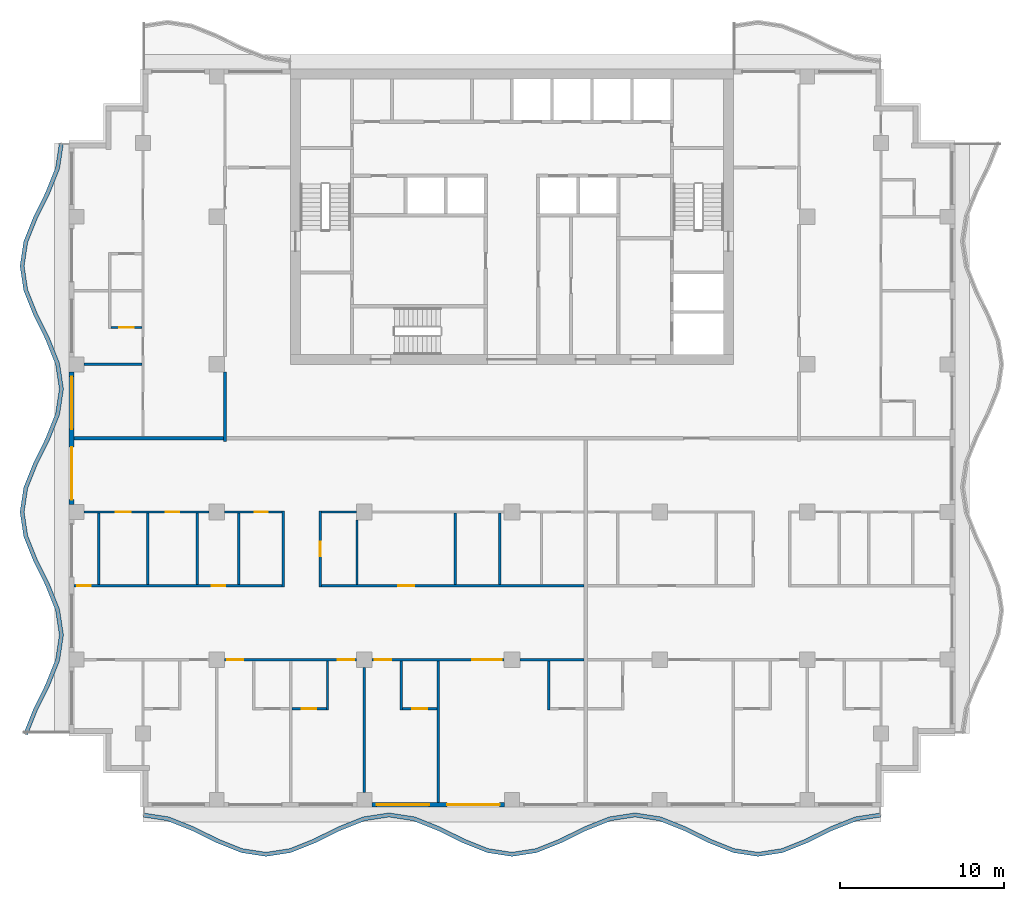
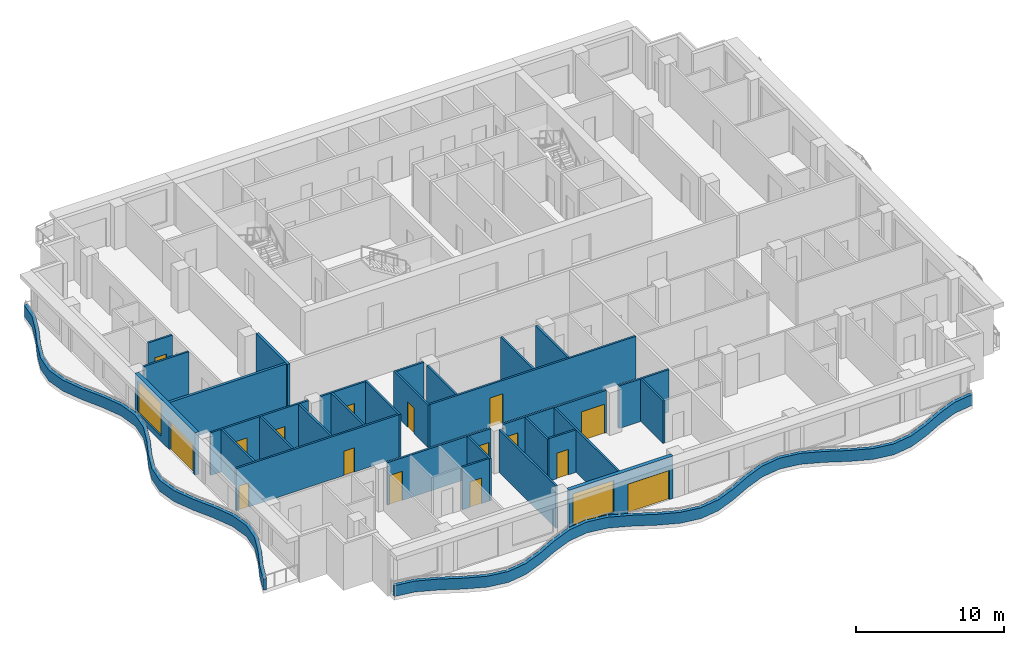
# One storey, part 2 of 12: 32 walls, 16 doors, 2 windows, 18 openings.
"""IFC4 building model written with IfcOpenShell, lengths in metres."""

from ifc_helpers import new_model, si_unit, direction, frame, frame_2d, origin, place, context, subcontext, project, spatial, polyline, rectangle, outline, extrude, material, layer, layer_set, type_object, element, fill, save


model = new_model("IFC4")

# Units and contexts
model_context = context("Model", 3, precision=1e-05, world=origin(), true_north=direction((0.0, 1.0)))
body_context = subcontext(model_context, "Body", "Model", "MODEL_VIEW")
ifc_project = project(units=[si_unit("LENGTHUNIT", "METRE"), si_unit("AREAUNIT", "SQUARE_METRE"), si_unit("VOLUMEUNIT", "CUBIC_METRE"), si_unit("PLANEANGLEUNIT", "RADIAN"), si_unit("MASSUNIT", "GRAM", prefix="KILO")], contexts=[model_context])

# Site, building, storey
site_placement = place(None, origin())
site = spatial("IfcSite", under=ifc_project, at=site_placement, CompositionType="ELEMENT")
building_placement = place(site_placement, origin())
building = spatial("IfcBuilding", under=site, at=building_placement, Name="Orbiselva Terraces", CompositionType="ELEMENT")
storey_placement = place(building_placement, frame((0.0, 0.0, 265.4)))
storey = spatial("IfcBuildingStorey", under=building, at=storey_placement, Name="L67", CompositionType="ELEMENT", Elevation=265.4)

# Walls
ifc_material_1 = material(Name="Concrete C40/50", Category="concrete")
ifc_layer_1 = layer(ifc_material_1, 0.25)
ifc_layer_set_1 = layer_set([ifc_layer_1], Name="Concrete C40/50")
wall_type_1 = type_object("IfcWallType", Name="ENV-PLANTER-250x900", PredefinedType="USERDEFINED", material=ifc_layer_set_1)
wall_1_placement = place(storey_placement, origin())
element("IfcWall", 1, at=wall_1_placement, inside=storey, type_object=wall_type_1, Name="Balcony planter L67 S", ObjectType="PLANTER", PredefinedType="USERDEFINED", context=body_context, shape_type="SweptSolid", body=[
    extrude(outline(polyline([(-22.5, -23.1), (-21.0, -23.32918), (-19.5, -23.92918), (-18.0, -24.67082), (-16.5, -25.27082), (-15.0, -25.5), (-13.5, -25.27082), (-12.0, -24.67082), (-10.5, -23.92918), (-9.0, -23.32918), (-7.5, -23.1), (-6.0, -23.32918), (-4.5, -23.92918), (-3.0, -24.67082), (-1.5, -25.27082), (0.0, -25.5), (1.5, -25.27082), (3.0, -24.67082), (4.5, -23.92918), (6.0, -23.32918), (7.5, -23.1), (9.0, -23.32918), (10.5, -23.92918), (12.0, -24.67082), (13.5, -25.27082), (15.0, -25.5), (16.5, -25.27082), (18.0, -24.67082), (19.5, -23.92918), (21.0, -23.32918), (22.5, -23.1), (22.462242, -22.852868), (20.933834, -23.086388), (19.398017, -23.700715), (17.898017, -24.442355), (16.433834, -25.028028), (15.0, -25.247099), (13.566166, -25.028028), (12.101983, -24.442355), (10.601983, -23.700715), (9.066166, -23.086388), (7.5, -22.847099), (5.933834, -23.086388), (4.398017, -23.700715), (2.898017, -24.442355), (1.433834, -25.028028), (0.0, -25.247099), (-1.433834, -25.028028), (-2.898017, -24.442355), (-4.398017, -23.700715), (-5.933834, -23.086388), (-7.5, -22.847099), (-9.066166, -23.086388), (-10.601983, -23.700715), (-12.101983, -24.442355), (-13.566166, -25.028028), (-15.0, -25.247099), (-16.433834, -25.028028), (-17.898017, -24.442355), (-19.398017, -23.700715), (-20.933834, -23.086388), (-22.462242, -22.852868), (-22.5, -23.1)])), origin(), (0.0, 0.0, 1.0), 0.9),
])
wall_2_placement = place(storey_placement, origin())
element("IfcWall", 2, at=wall_2_placement, inside=storey, type_object=wall_type_1, Name="Balcony planter L67 W", ObjectType="PLANTER", PredefinedType="USERDEFINED", context=body_context, shape_type="SweptSolid", body=[
    extrude(outline(polyline([(-27.6, 18.0), (-27.82918, 16.5), (-28.42918, 15.0), (-29.17082, 13.5), (-29.77082, 12.0), (-30.0, 10.5), (-29.77082, 9.0), (-29.17082, 7.5), (-28.42918, 6.0), (-27.82918, 4.5), (-27.6, 3.0), (-27.82918, 1.5), (-28.42918, 0.0), (-29.17082, -1.5), (-29.77082, -3.0), (-30.0, -4.5), (-29.77082, -6.0), (-29.17082, -7.5), (-28.42918, -9.0), (-27.82918, -10.5), (-27.6, -12.0), (-27.82918, -13.5), (-28.42918, -15.0), (-29.17082, -16.5), (-29.77082, -18.0), (-29.538701, -18.092848), (-28.942355, -16.601983), (-28.200715, -15.101983), (-27.586388, -13.566166), (-27.347099, -12.0), (-27.586388, -10.433834), (-28.200715, -8.898017), (-28.942355, -7.398017), (-29.528028, -5.933834), (-29.747099, -4.5), (-29.528028, -3.066166), (-28.942355, -1.601983), (-28.200715, -0.101983), (-27.586388, 1.433834), (-27.347099, 3.0), (-27.586388, 4.566166), (-28.200715, 6.101983), (-28.942355, 7.601983), (-29.528028, 9.066166), (-29.747099, 10.5), (-29.528028, 11.933834), (-28.942355, 13.398017), (-28.200715, 14.898017), (-27.586388, 16.433834), (-27.352868, 17.962242), (-27.6, 18.0)])), origin(), (0.0, 0.0, 1.0), 0.9),
])

# Wall, openings, door, window
ifc_material_2 = material(Name="Terracotta cladding on masonry backing", Category="masonry")
ifc_layer_2 = layer(ifc_material_2, 0.3)
ifc_layer_set_2 = layer_set([ifc_layer_2], Name="Terracotta cladding on masonry backing")
wall_type_2 = type_object("IfcWallType", Name="ENV-WALL-TERRACOTTA-300", PredefinedType="SOLIDWALL", material=ifc_layer_set_2)
wall_3_placement = place(storey_placement, frame((-0.45, -22.35, 0.0), z_axis=(0.0, 0.0, 1.0), x_axis=(-1.0, 0.0, 0.0)))
wall_3 = element("IfcWall", 3, at=wall_3_placement, inside=storey, type_object=wall_type_2, Name="Facade wall L67 S", PredefinedType="SOLIDWALL", context=body_context, shape_type="SweptSolid", body=[
    extrude(rectangle(XDim=8.1, YDim=0.3, at=frame_2d((4.05, 0.0))), origin(), (0.0, 0.0, 1.0), 3.5),
])
opening_1_placement = place(wall_3_placement, frame((4.6, 0.0, 0.45)))
opening_1 = element("IfcOpeningElement", 4, at=opening_1_placement, cuts=wall_3, Name="Opening WN17", PredefinedType="OPENING", context=body_context, shape_type="SweptSolid", body=[
    extrude(rectangle(XDim=3.2, YDim=2.65, at=frame_2d((1.6, 1.325))), frame((0.0, 0.16, 0.0), z_axis=(0.0, -1.0, 0.0), x_axis=(1.0, 0.0, 0.0)), (0.0, 0.0, 1.0), 0.32),
])
opening_2_placement = place(wall_3_placement, frame((0.3, 0.0, 0.0)))
opening_2 = element("IfcOpeningElement", 5, at=opening_2_placement, cuts=wall_3, Name="Opening Z5-C-E13", PredefinedType="OPENING", context=body_context, shape_type="SweptSolid", body=[
    extrude(rectangle(XDim=3.2, YDim=2.4, at=frame_2d((1.6, 1.2))), frame((0.0, 0.16, 0.0), z_axis=(0.0, -1.0, 0.0), x_axis=(1.0, 0.0, 0.0)), (0.0, 0.0, 1.0), 0.32),
])
ifc_material_3 = material(Name="Clear low-e glazing in aluminium frame", Category="aluminium")
door_type_1 = type_object("IfcDoorType", Name="BALCONY DOOR 3200 X 2400", OperationType="DOUBLE_DOOR_SLIDING", PredefinedType="DOOR", material=ifc_material_3)
door_1_placement = place(opening_2_placement, origin())
door_1 = element("IfcDoor", 6, at=door_1_placement, inside=storey, type_object=door_type_1, Name="Z5-C-E13", OperationType="SINGLE_SWING_LEFT", OverallHeight=2.4, OverallWidth=3.2, PredefinedType="DOOR", context=body_context, shape_type="SweptSolid", body=[
    extrude(rectangle(XDim=3.2, YDim=2.4, at=frame_2d((1.6, 1.2))), frame((0.0, 0.025, 0.0), z_axis=(0.0, -1.0, 0.0), x_axis=(1.0, 0.0, 0.0)), (0.0, 0.0, 1.0), 0.05),
])
fill(opening_2, door_1)
window_type = type_object("IfcWindowType", Name="WINDOW 3200 X 2650 S450", PartitioningType="TRIPLE_PANEL_VERTICAL", PredefinedType="WINDOW", material=ifc_material_3)
window_1_placement = place(opening_1_placement, origin())
window_1 = element("IfcWindow", 7, at=window_1_placement, inside=storey, type_object=window_type, Name="Window L67 S", OverallHeight=2.65, OverallWidth=3.2, PartitioningType="SINGLE_PANEL", PredefinedType="WINDOW", context=body_context, shape_type="SweptSolid", body=[
    extrude(rectangle(XDim=3.2, YDim=2.65, at=frame_2d((1.6, 1.325))), frame((0.0, 0.03, 0.0), z_axis=(0.0, -1.0, 0.0), x_axis=(1.0, 0.0, 0.0)), (0.0, 0.0, 1.0), 0.06),
])
fill(opening_1, window_1)

wall_4_placement = place(storey_placement, frame((-26.85, -4.05, 0.0), z_axis=(0.0, 0.0, 1.0), x_axis=(0.0, 1.0, 0.0)))
wall_4 = element("IfcWall", 8, at=wall_4_placement, inside=storey, type_object=wall_type_2, Name="Facade wall L67 W", PredefinedType="SOLIDWALL", context=body_context, shape_type="SweptSolid", body=[
    extrude(rectangle(XDim=8.1, YDim=0.3, at=frame_2d((4.05, 0.0))), origin(), (0.0, 0.0, 1.0), 3.5),
])
opening_3_placement = place(wall_4_placement, frame((4.6, 0.0, 0.45)))
opening_3 = element("IfcOpeningElement", 9, at=opening_3_placement, cuts=wall_4, Name="Opening WN17", PredefinedType="OPENING", context=body_context, shape_type="SweptSolid", body=[
    extrude(rectangle(XDim=3.2, YDim=2.65, at=frame_2d((1.6, 1.325))), frame((0.0, 0.16, 0.0), z_axis=(0.0, -1.0, 0.0), x_axis=(1.0, 0.0, 0.0)), (0.0, 0.0, 1.0), 0.32),
])
opening_4_placement = place(wall_4_placement, frame((0.3, 0.0, 0.0)))
opening_4 = element("IfcOpeningElement", 10, at=opening_4_placement, cuts=wall_4, Name="Opening Z5-C-E15", PredefinedType="OPENING", context=body_context, shape_type="SweptSolid", body=[
    extrude(rectangle(XDim=3.2, YDim=2.4, at=frame_2d((1.6, 1.2))), frame((0.0, 0.16, 0.0), z_axis=(0.0, -1.0, 0.0), x_axis=(1.0, 0.0, 0.0)), (0.0, 0.0, 1.0), 0.32),
])
door_2_placement = place(opening_4_placement, origin())
door_2 = element("IfcDoor", 11, at=door_2_placement, inside=storey, type_object=door_type_1, Name="Z5-C-E15", OperationType="SINGLE_SWING_LEFT", OverallHeight=2.4, OverallWidth=3.2, PredefinedType="DOOR", context=body_context, shape_type="SweptSolid", body=[
    extrude(rectangle(XDim=3.2, YDim=2.4, at=frame_2d((1.6, 1.2))), frame((0.0, 0.025, 0.0), z_axis=(0.0, -1.0, 0.0), x_axis=(1.0, 0.0, 0.0)), (0.0, 0.0, 1.0), 0.05),
])
fill(opening_4, door_2)
window_2_placement = place(opening_3_placement, origin())
window_2 = element("IfcWindow", 12, at=window_2_placement, inside=storey, type_object=window_type, Name="Window L67 W", OverallHeight=2.65, OverallWidth=3.2, PartitioningType="SINGLE_PANEL", PredefinedType="WINDOW", context=body_context, shape_type="SweptSolid", body=[
    extrude(rectangle(XDim=3.2, YDim=2.65, at=frame_2d((1.6, 1.325))), frame((0.0, 0.03, 0.0), z_axis=(0.0, -1.0, 0.0), x_axis=(1.0, 0.0, 0.0)), (0.0, 0.0, 1.0), 0.06),
])
fill(opening_3, window_2)

# Wall
ifc_material_4 = material(Name="Plasterboard on steel stud partition", Category="steel")
ifc_layer_3 = layer(ifc_material_4, 0.2)
ifc_layer_set_3 = layer_set([ifc_layer_3], Name="Plasterboard on steel stud partition")
wall_type_3 = type_object("IfcWallType", Name="UNIT-ENTRANCE-WALL-200", PredefinedType="PARTITIONING", material=ifc_layer_set_3)
wall_5_placement = place(storey_placement, frame((-17.5, -0.2, 0.0), z_axis=(0.0, 0.0, 1.0), x_axis=(0.0, 1.0, 0.0)))
element("IfcWall", 13, at=wall_5_placement, inside=storey, type_object=wall_type_3, Name="PARTITION L67-053", PredefinedType="PARTITIONING", context=body_context, shape_type="SweptSolid", body=[
    extrude(rectangle(XDim=4.225, YDim=0.2, at=frame_2d((2.1125, 0.0))), origin(), (0.0, 0.0, 1.0), 3.5),
])

# Wall, opening, door
ifc_layer_4 = layer(ifc_material_4, 0.15)
ifc_layer_set_4 = layer_set([ifc_layer_4], Name="Plasterboard on steel stud partition")
wall_type_4 = type_object("IfcWallType", Name="UNIT-PARTITION-150", PredefinedType="PARTITIONING", material=ifc_layer_set_4)
wall_6_placement = place(storey_placement, frame((-13.425, -16.5, 0.0), z_axis=(0.0, 0.0, 1.0), x_axis=(1.0, 0.0, 0.0)))
wall_6 = element("IfcWall", 14, at=wall_6_placement, inside=storey, type_object=wall_type_4, Name="PARTITION L67-003", PredefinedType="PARTITIONING", context=body_context, shape_type="SweptSolid", body=[
    extrude(rectangle(XDim=2.1, YDim=0.15, at=frame_2d((1.05, 0.0))), origin(), (0.0, 0.0, 1.0), 3.5),
])
opening_5_placement = place(wall_6_placement, frame((0.6, 0.0, 0.0)))
opening_5 = element("IfcOpeningElement", 15, at=opening_5_placement, cuts=wall_6, Name="Opening Z5-C-31", PredefinedType="OPENING", context=body_context, shape_type="SweptSolid", body=[
    extrude(rectangle(XDim=0.9, YDim=2.1, at=frame_2d((0.45, 1.05))), frame((0.0, 0.085, 0.0), z_axis=(0.0, -1.0, 0.0), x_axis=(1.0, 0.0, 0.0)), (0.0, 0.0, 1.0), 0.17),
])
ifc_material_5 = material(Name="Painted timber door leaf", Category="wood")
door_type_2 = type_object("IfcDoorType", Name="BATH DOOR 900", OperationType="NOTDEFINED", PredefinedType="DOOR", material=ifc_material_5)
door_3_placement = place(opening_5_placement, origin())
door_3 = element("IfcDoor", 16, at=door_3_placement, inside=storey, type_object=door_type_2, Name="Z5-C-31", OperationType="SINGLE_SWING_LEFT", OverallHeight=2.1, OverallWidth=0.9, PredefinedType="DOOR", context=body_context, shape_type="SweptSolid", body=[
    extrude(rectangle(XDim=0.9, YDim=2.1, at=frame_2d((0.45, 1.05))), frame((0.0, 0.025, 0.0), z_axis=(0.0, -1.0, 0.0), x_axis=(1.0, 0.0, 0.0)), (0.0, 0.0, 1.0), 0.05),
])
fill(opening_5, door_3)

wall_7_placement = place(storey_placement, frame((-6.675, -16.5, 0.0), z_axis=(0.0, 0.0, 1.0), x_axis=(1.0, 0.0, 0.0)))
wall_7 = element("IfcWall", 17, at=wall_7_placement, inside=storey, type_object=wall_type_4, Name="PARTITION L67-004", PredefinedType="PARTITIONING", context=body_context, shape_type="SweptSolid", body=[
    extrude(rectangle(XDim=2.1, YDim=0.15, at=frame_2d((1.05, 0.0))), origin(), (0.0, 0.0, 1.0), 3.5),
])
opening_6_placement = place(wall_7_placement, frame((0.6, 0.0, 0.0)))
opening_6 = element("IfcOpeningElement", 18, at=opening_6_placement, cuts=wall_7, Name="Opening Z5-C-29", PredefinedType="OPENING", context=body_context, shape_type="SweptSolid", body=[
    extrude(rectangle(XDim=0.9, YDim=2.1, at=frame_2d((0.45, 1.05))), frame((0.0, 0.085, 0.0), z_axis=(0.0, -1.0, 0.0), x_axis=(1.0, 0.0, 0.0)), (0.0, 0.0, 1.0), 0.17),
])
door_4_placement = place(opening_6_placement, origin())
door_4 = element("IfcDoor", 19, at=door_4_placement, inside=storey, type_object=door_type_2, Name="Z5-C-29", OperationType="SINGLE_SWING_LEFT", OverallHeight=2.1, OverallWidth=0.9, PredefinedType="DOOR", context=body_context, shape_type="SweptSolid", body=[
    extrude(rectangle(XDim=0.9, YDim=2.1, at=frame_2d((0.45, 1.05))), frame((0.0, 0.025, 0.0), z_axis=(0.0, -1.0, 0.0), x_axis=(1.0, 0.0, 0.0)), (0.0, 0.0, 1.0), 0.05),
])
fill(opening_6, door_4)

# Wall, openings, doors
wall_8_placement = place(storey_placement, frame((-9.475, -13.5, 0.0), z_axis=(0.0, 0.0, 1.0), x_axis=(-1.0, 0.0, 0.0)))
wall_8 = element("IfcWall", 20, at=wall_8_placement, inside=storey, type_object=wall_type_4, Name="PARTITION L67-010", PredefinedType="PARTITIONING", context=body_context, shape_type="SweptSolid", body=[
    extrude(rectangle(XDim=8.05, YDim=0.15, at=frame_2d((4.025, 0.0))), origin(), (0.0, 0.0, 1.0), 3.5),
])
opening_7_placement = place(wall_8_placement, frame((0.15, 0.0, 0.0)))
opening_7 = element("IfcOpeningElement", 21, at=opening_7_placement, cuts=wall_8, Name="Opening Z5-C-30", PredefinedType="OPENING", context=body_context, shape_type="SweptSolid", body=[
    extrude(rectangle(XDim=1.0, YDim=2.4, at=frame_2d((0.5, 1.2))), frame((0.0, 0.085, 0.0), z_axis=(0.0, -1.0, 0.0), x_axis=(1.0, 0.0, 0.0)), (0.0, 0.0, 1.0), 0.17),
])
opening_8_placement = place(wall_8_placement, frame((6.9, 0.0, 0.0)))
opening_8 = element("IfcOpeningElement", 22, at=opening_8_placement, cuts=wall_8, Name="Opening Z5-C-32", PredefinedType="OPENING", context=body_context, shape_type="SweptSolid", body=[
    extrude(rectangle(XDim=1.0, YDim=2.4, at=frame_2d((0.5, 1.2))), frame((0.0, 0.085, 0.0), z_axis=(0.0, -1.0, 0.0), x_axis=(1.0, 0.0, 0.0)), (0.0, 0.0, 1.0), 0.17),
])
door_type_3 = type_object("IfcDoorType", Name="ROOM DOOR 1000", OperationType="NOTDEFINED", PredefinedType="DOOR", material=ifc_material_5)
door_5_placement = place(opening_7_placement, origin())
door_5 = element("IfcDoor", 23, at=door_5_placement, inside=storey, type_object=door_type_3, Name="Z5-C-30", OperationType="SINGLE_SWING_LEFT", OverallHeight=2.4, OverallWidth=1.0, PredefinedType="DOOR", context=body_context, shape_type="SweptSolid", body=[
    extrude(rectangle(XDim=1.0, YDim=2.4, at=frame_2d((0.5, 1.2))), frame((0.0, 0.025, 0.0), z_axis=(0.0, -1.0, 0.0), x_axis=(1.0, 0.0, 0.0)), (0.0, 0.0, 1.0), 0.05),
])
fill(opening_7, door_5)
door_6_placement = place(opening_8_placement, origin())
door_6 = element("IfcDoor", 24, at=door_6_placement, inside=storey, type_object=door_type_3, Name="Z5-C-32", OperationType="SINGLE_SWING_RIGHT", OverallHeight=2.4, OverallWidth=1.0, PredefinedType="DOOR", context=body_context, shape_type="SweptSolid", body=[
    extrude(rectangle(XDim=1.0, YDim=2.4, at=frame_2d((0.5, 1.2))), frame((0.0, 0.025, 0.0), z_axis=(0.0, -1.0, 0.0), x_axis=(1.0, 0.0, 0.0)), (0.0, 0.0, 1.0), 0.05),
])
fill(opening_8, door_6)

wall_9_placement = place(storey_placement, frame((-0.475, -13.5, 0.0), z_axis=(0.0, 0.0, 1.0), x_axis=(-1.0, 0.0, 0.0)))
wall_9 = element("IfcWall", 25, at=wall_9_placement, inside=storey, type_object=wall_type_4, Name="PARTITION L67-011", PredefinedType="PARTITIONING", context=body_context, shape_type="SweptSolid", body=[
    extrude(rectangle(XDim=8.05, YDim=0.15, at=frame_2d((4.025, 0.0))), origin(), (0.0, 0.0, 1.0), 3.5),
])
opening_9_placement = place(wall_9_placement, frame((0.15, 0.0, 0.0)))
opening_9 = element("IfcOpeningElement", 26, at=opening_9_placement, cuts=wall_9, Name="Opening Z5-C-26", PredefinedType="OPENING", context=body_context, shape_type="SweptSolid", body=[
    extrude(rectangle(XDim=1.8, YDim=2.4, at=frame_2d((0.9, 1.2))), frame((0.0, 0.085, 0.0), z_axis=(0.0, -1.0, 0.0), x_axis=(1.0, 0.0, 0.0)), (0.0, 0.0, 1.0), 0.17),
])
opening_10_placement = place(wall_9_placement, frame((6.9, 0.0, 0.0)))
opening_10 = element("IfcOpeningElement", 27, at=opening_10_placement, cuts=wall_9, Name="Opening Z5-C-28", PredefinedType="OPENING", context=body_context, shape_type="SweptSolid", body=[
    extrude(rectangle(XDim=1.0, YDim=2.4, at=frame_2d((0.5, 1.2))), frame((0.0, 0.085, 0.0), z_axis=(0.0, -1.0, 0.0), x_axis=(1.0, 0.0, 0.0)), (0.0, 0.0, 1.0), 0.17),
])
door_type_4 = type_object("IfcDoorType", Name="DOUBLE DOOR 1800", OperationType="NOTDEFINED", PredefinedType="DOOR", material=ifc_material_5)
door_7_placement = place(opening_9_placement, origin())
door_7 = element("IfcDoor", 28, at=door_7_placement, inside=storey, type_object=door_type_4, Name="Z5-C-26", OperationType="DOUBLE_DOOR_SINGLE_SWING", OverallHeight=2.4, OverallWidth=1.8, PredefinedType="DOOR", context=body_context, shape_type="SweptSolid", body=[
    extrude(rectangle(XDim=1.8, YDim=2.4, at=frame_2d((0.9, 1.2))), frame((0.0, 0.025, 0.0), z_axis=(0.0, -1.0, 0.0), x_axis=(1.0, 0.0, 0.0)), (0.0, 0.0, 1.0), 0.05),
])
fill(opening_9, door_7)
door_8_placement = place(opening_10_placement, origin())
door_8 = element("IfcDoor", 29, at=door_8_placement, inside=storey, type_object=door_type_3, Name="Z5-C-28", OperationType="SINGLE_SWING_RIGHT", OverallHeight=2.4, OverallWidth=1.0, PredefinedType="DOOR", context=body_context, shape_type="SweptSolid", body=[
    extrude(rectangle(XDim=1.0, YDim=2.4, at=frame_2d((0.5, 1.2))), frame((0.0, 0.025, 0.0), z_axis=(0.0, -1.0, 0.0), x_axis=(1.0, 0.0, 0.0)), (0.0, 0.0, 1.0), 0.05),
])
fill(opening_10, door_8)

# Wall
wall_10_placement = place(storey_placement, frame((0.475, -13.5, 0.0), z_axis=(0.0, 0.0, 1.0), x_axis=(1.0, 0.0, 0.0)))
element("IfcWall", 30, at=wall_10_placement, inside=storey, type_object=wall_type_4, Name="PARTITION L67-012", PredefinedType="PARTITIONING", context=body_context, shape_type="SweptSolid", body=[
    extrude(rectangle(XDim=3.925, YDim=0.15, at=frame_2d((1.9625, 0.0))), origin(), (0.0, 0.0, 1.0), 3.5),
])

# Wall, openings, doors
wall_11_placement = place(storey_placement, frame((-26.7, -9.0, 0.0), z_axis=(0.0, 0.0, 1.0), x_axis=(1.0, 0.0, 0.0)))
wall_11 = element("IfcWall", 31, at=wall_11_placement, inside=storey, type_object=wall_type_4, Name="PARTITION L67-016", PredefinedType="PARTITIONING", context=body_context, shape_type="SweptSolid", body=[
    extrude(rectangle(XDim=12.675, YDim=0.15, at=frame_2d((6.3375, 0.0))), origin(), (0.0, 0.0, 1.0), 3.5),
])
opening_11_placement = place(wall_11_placement, frame((8.4, 0.0, 0.0)))
opening_11 = element("IfcOpeningElement", 32, at=opening_11_placement, cuts=wall_11, Name="Opening Z5-C-22", PredefinedType="OPENING", context=body_context, shape_type="SweptSolid", body=[
    extrude(rectangle(XDim=0.8, YDim=2.0, at=frame_2d((0.4, 1.0))), frame((0.0, 0.085, 0.0), z_axis=(0.0, -1.0, 0.0), x_axis=(1.0, 0.0, 0.0)), (0.0, 0.0, 1.0), 0.17),
])
opening_12_placement = place(wall_11_placement, frame((0.2, 0.0, 0.0)))
opening_12 = element("IfcOpeningElement", 33, at=opening_12_placement, cuts=wall_11, Name="Opening Z5-C-25", PredefinedType="OPENING", context=body_context, shape_type="SweptSolid", body=[
    extrude(rectangle(XDim=0.8, YDim=2.0, at=frame_2d((0.4, 1.0))), frame((0.0, 0.085, 0.0), z_axis=(0.0, -1.0, 0.0), x_axis=(1.0, 0.0, 0.0)), (0.0, 0.0, 1.0), 0.17),
])
door_type_5 = type_object("IfcDoorType", Name="STORE DOOR 800", OperationType="NOTDEFINED", PredefinedType="DOOR", material=ifc_material_5)
door_9_placement = place(opening_11_placement, origin())
door_9 = element("IfcDoor", 34, at=door_9_placement, inside=storey, type_object=door_type_5, Name="Z5-C-22", OperationType="SINGLE_SWING_RIGHT", OverallHeight=2.0, OverallWidth=0.8, PredefinedType="DOOR", context=body_context, shape_type="SweptSolid", body=[
    extrude(rectangle(XDim=0.8, YDim=2.0, at=frame_2d((0.4, 1.0))), frame((0.0, 0.025, 0.0), z_axis=(0.0, -1.0, 0.0), x_axis=(1.0, 0.0, 0.0)), (0.0, 0.0, 1.0), 0.05),
])
fill(opening_11, door_9)
door_10_placement = place(opening_12_placement, origin())
door_10 = element("IfcDoor", 35, at=door_10_placement, inside=storey, type_object=door_type_5, Name="Z5-C-25", OperationType="SINGLE_SWING_LEFT", OverallHeight=2.0, OverallWidth=0.8, PredefinedType="DOOR", context=body_context, shape_type="SweptSolid", body=[
    extrude(rectangle(XDim=0.8, YDim=2.0, at=frame_2d((0.4, 1.0))), frame((0.0, 0.025, 0.0), z_axis=(0.0, -1.0, 0.0), x_axis=(1.0, 0.0, 0.0)), (0.0, 0.0, 1.0), 0.05),
])
fill(opening_12, door_10)

# Wall, opening, door
wall_12_placement = place(storey_placement, frame((-11.625, -9.0, 0.0), z_axis=(0.0, 0.0, 1.0), x_axis=(1.0, 0.0, 0.0)))
wall_12 = element("IfcWall", 36, at=wall_12_placement, inside=storey, type_object=wall_type_4, Name="PARTITION L67-017", PredefinedType="PARTITIONING", context=body_context, shape_type="SweptSolid", body=[
    extrude(rectangle(XDim=16.025, YDim=0.15, at=frame_2d((8.0125, 0.0))), origin(), (0.0, 0.0, 1.0), 3.5),
])
opening_13_placement = place(wall_12_placement, frame((4.675, 0.0, 0.0)))
opening_13 = element("IfcOpeningElement", 37, at=opening_13_placement, cuts=wall_12, Name="Opening Z5-C-19", PredefinedType="OPENING", context=body_context, shape_type="SweptSolid", body=[
    extrude(rectangle(XDim=1.0, YDim=2.4, at=frame_2d((0.5, 1.2))), frame((0.0, 0.085, 0.0), z_axis=(0.0, -1.0, 0.0), x_axis=(1.0, 0.0, 0.0)), (0.0, 0.0, 1.0), 0.17),
])
door_11_placement = place(opening_13_placement, origin())
door_11 = element("IfcDoor", 38, at=door_11_placement, inside=storey, type_object=door_type_3, Name="Z5-C-19", OperationType="SINGLE_SWING_LEFT", OverallHeight=2.4, OverallWidth=1.0, PredefinedType="DOOR", context=body_context, shape_type="SweptSolid", body=[
    extrude(rectangle(XDim=1.0, YDim=2.4, at=frame_2d((0.5, 1.2))), frame((0.0, 0.025, 0.0), z_axis=(0.0, -1.0, 0.0), x_axis=(1.0, 0.0, 0.0)), (0.0, 0.0, 1.0), 0.05),
])
fill(opening_13, door_11)

# Wall, openings, doors
wall_13_placement = place(storey_placement, frame((-18.475, -4.5, 0.0), z_axis=(0.0, 0.0, 1.0), x_axis=(-1.0, 0.0, 0.0)))
wall_13 = element("IfcWall", 39, at=wall_13_placement, inside=storey, type_object=wall_type_4, Name="PARTITION L67-020", PredefinedType="PARTITIONING", context=body_context, shape_type="SweptSolid", body=[
    extrude(rectangle(XDim=7.625, YDim=0.15, at=frame_2d((3.8125, 0.0))), origin(), (0.0, 0.0, 1.0), 3.5),
])
opening_14_placement = place(wall_13_placement, frame((1.825, 0.0, 0.0)))
opening_14 = element("IfcOpeningElement", 40, at=opening_14_placement, cuts=wall_13, Name="Opening Z5-C-23", PredefinedType="OPENING", context=body_context, shape_type="SweptSolid", body=[
    extrude(rectangle(XDim=0.8, YDim=2.0, at=frame_2d((0.4, 1.0))), frame((0.0, 0.085, 0.0), z_axis=(0.0, -1.0, 0.0), x_axis=(1.0, 0.0, 0.0)), (0.0, 0.0, 1.0), 0.17),
])
opening_15_placement = place(wall_13_placement, frame((4.775, 0.0, 0.0)))
opening_15 = element("IfcOpeningElement", 41, at=opening_15_placement, cuts=wall_13, Name="Opening Z5-C-24", PredefinedType="OPENING", context=body_context, shape_type="SweptSolid", body=[
    extrude(rectangle(XDim=0.9, YDim=2.1, at=frame_2d((0.45, 1.05))), frame((0.0, 0.085, 0.0), z_axis=(0.0, -1.0, 0.0), x_axis=(1.0, 0.0, 0.0)), (0.0, 0.0, 1.0), 0.17),
])
door_type_6 = type_object("IfcDoorType", Name="SERVICE DOOR 900", OperationType="NOTDEFINED", PredefinedType="DOOR", material=ifc_material_5)
door_12_placement = place(opening_15_placement, origin())
door_12 = element("IfcDoor", 42, at=door_12_placement, inside=storey, type_object=door_type_6, Name="Z5-C-24", OperationType="SINGLE_SWING_RIGHT", OverallHeight=2.1, OverallWidth=0.9, PredefinedType="DOOR", context=body_context, shape_type="SweptSolid", body=[
    extrude(rectangle(XDim=0.9, YDim=2.1, at=frame_2d((0.45, 1.05))), frame((0.0, 0.025, 0.0), z_axis=(0.0, -1.0, 0.0), x_axis=(1.0, 0.0, 0.0)), (0.0, 0.0, 1.0), 0.05),
])
fill(opening_15, door_12)
door_13_placement = place(opening_14_placement, origin())
door_13 = element("IfcDoor", 43, at=door_13_placement, inside=storey, type_object=door_type_5, Name="Z5-C-23", OperationType="SINGLE_SWING_LEFT", OverallHeight=2.0, OverallWidth=0.8, PredefinedType="DOOR", context=body_context, shape_type="SweptSolid", body=[
    extrude(rectangle(XDim=0.8, YDim=2.0, at=frame_2d((0.4, 1.0))), frame((0.0, 0.025, 0.0), z_axis=(0.0, -1.0, 0.0), x_axis=(1.0, 0.0, 0.0)), (0.0, 0.0, 1.0), 0.05),
])
fill(opening_14, door_13)

# Wall, opening, door
wall_14_placement = place(storey_placement, frame((-14.025, -4.5, 0.0), z_axis=(0.0, 0.0, 1.0), x_axis=(-1.0, 0.0, 0.0)))
wall_14 = element("IfcWall", 44, at=wall_14_placement, inside=storey, type_object=wall_type_4, Name="PARTITION L67-021", PredefinedType="PARTITIONING", context=body_context, shape_type="SweptSolid", body=[
    extrude(rectangle(XDim=3.5, YDim=0.15, at=frame_2d((1.75, 0.0))), origin(), (0.0, 0.0, 1.0), 3.5),
])
opening_16_placement = place(wall_14_placement, frame((0.875, 0.0, 0.0)))
opening_16 = element("IfcOpeningElement", 45, at=opening_16_placement, cuts=wall_14, Name="Opening Z5-C-21", PredefinedType="OPENING", context=body_context, shape_type="SweptSolid", body=[
    extrude(rectangle(XDim=0.8, YDim=2.0, at=frame_2d((0.4, 1.0))), frame((0.0, 0.085, 0.0), z_axis=(0.0, -1.0, 0.0), x_axis=(1.0, 0.0, 0.0)), (0.0, 0.0, 1.0), 0.17),
])
door_14_placement = place(opening_16_placement, origin())
door_14 = element("IfcDoor", 46, at=door_14_placement, inside=storey, type_object=door_type_5, Name="Z5-C-21", OperationType="SINGLE_SWING_LEFT", OverallHeight=2.0, OverallWidth=0.8, PredefinedType="DOOR", context=body_context, shape_type="SweptSolid", body=[
    extrude(rectangle(XDim=0.8, YDim=2.0, at=frame_2d((0.4, 1.0))), frame((0.0, 0.025, 0.0), z_axis=(0.0, -1.0, 0.0), x_axis=(1.0, 0.0, 0.0)), (0.0, 0.0, 1.0), 0.05),
])
fill(opening_16, door_14)

# Walls
wall_15_placement = place(storey_placement, frame((-11.625, -4.5, 0.0), z_axis=(0.0, 0.0, 1.0), x_axis=(1.0, 0.0, 0.0)))
element("IfcWall", 47, at=wall_15_placement, inside=storey, type_object=wall_type_4, Name="PARTITION L67-022", PredefinedType="PARTITIONING", context=body_context, shape_type="SweptSolid", body=[
    extrude(rectangle(XDim=2.15, YDim=0.15, at=frame_2d((1.075, 0.0))), origin(), (0.0, 0.0, 1.0), 3.5),
])
wall_16_placement = place(storey_placement, frame((-26.1, 4.5, 0.0), z_axis=(0.0, 0.0, 1.0), x_axis=(1.0, 0.0, 0.0)))
element("IfcWall", 48, at=wall_16_placement, inside=storey, type_object=wall_type_4, Name="PARTITION L67-033", PredefinedType="PARTITIONING", context=body_context, shape_type="SweptSolid", body=[
    extrude(rectangle(XDim=3.525, YDim=0.15, at=frame_2d((1.7625, 0.0))), origin(), (0.0, 0.0, 1.0), 3.5),
])

# Wall, opening, door
wall_17_placement = place(storey_placement, frame((-24.45, 6.75, 0.0), z_axis=(0.0, 0.0, 1.0), x_axis=(1.0, 0.0, 0.0)))
wall_17 = element("IfcWall", 49, at=wall_17_placement, inside=storey, type_object=wall_type_4, Name="PARTITION L67-034", PredefinedType="PARTITIONING", context=body_context, shape_type="SweptSolid", body=[
    extrude(rectangle(XDim=1.875, YDim=0.15, at=frame_2d((0.9375, 0.0))), origin(), (0.0, 0.0, 1.0), 3.5),
])
opening_17_placement = place(wall_17_placement, frame((0.5, 0.0, 0.0)))
opening_17 = element("IfcOpeningElement", 50, at=opening_17_placement, cuts=wall_17, Name="Opening Z5-C-06", PredefinedType="OPENING", context=body_context, shape_type="SweptSolid", body=[
    extrude(rectangle(XDim=0.9, YDim=2.1, at=frame_2d((0.45, 1.05))), frame((0.0, 0.085, 0.0), z_axis=(0.0, -1.0, 0.0), x_axis=(1.0, 0.0, 0.0)), (0.0, 0.0, 1.0), 0.17),
])
door_15_placement = place(opening_17_placement, origin())
door_15 = element("IfcDoor", 51, at=door_15_placement, inside=storey, type_object=door_type_2, Name="Z5-C-06", OperationType="SINGLE_SWING_RIGHT", OverallHeight=2.1, OverallWidth=0.9, PredefinedType="DOOR", context=body_context, shape_type="SweptSolid", body=[
    extrude(rectangle(XDim=0.9, YDim=2.1, at=frame_2d((0.45, 1.05))), frame((0.0, 0.025, 0.0), z_axis=(0.0, -1.0, 0.0), x_axis=(1.0, 0.0, 0.0)), (0.0, 0.0, 1.0), 0.05),
])
fill(opening_17, door_15)

# Walls
for number, where, z_axis, x_axis, name in (
    (52, (-25.2, -8.925, 0.0), (0.0, 0.0, 1.0), (0.0, 1.0, 0.0), "PARTITION L67-043"),
    (53, (-22.2, -8.925, 0.0), (0.0, 0.0, 1.0), (0.0, 1.0, 0.0), "PARTITION L67-049"),
    (54, (-19.2, -8.925, 0.0), (0.0, 0.0, 1.0), (0.0, 1.0, 0.0), "PARTITION L67-051"),
    (55, (-16.65, -8.925, 0.0), (0.0, 0.0, 1.0), (0.0, 1.0, 0.0), "PARTITION L67-057"),
):
    element("IfcWall", number, at=place(storey_placement, frame(where, z_axis=z_axis, x_axis=x_axis)), inside=storey, type_object=wall_type_4, Name=name, PredefinedType="PARTITIONING", context=body_context, shape_type="SweptSolid", body=[
        extrude(rectangle(XDim=4.35, YDim=0.15, at=frame_2d((2.175, 0.0))), origin(), (0.0, 0.0, 1.0), 3.5),
    ])
wall_18_placement = place(storey_placement, frame((-13.95, -9.075, 0.0), z_axis=(0.0, 0.0, 1.0), x_axis=(0.0, 1.0, 0.0)))
element("IfcWall", 56, at=wall_18_placement, inside=storey, type_object=wall_type_4, Name="PARTITION L67-059", PredefinedType="PARTITIONING", context=body_context, shape_type="SweptSolid", body=[
    extrude(rectangle(XDim=4.65, YDim=0.15, at=frame_2d((2.325, 0.0))), origin(), (0.0, 0.0, 1.0), 3.5),
])

# Wall, opening, door
wall_19_placement = place(storey_placement, frame((-11.7, -4.425, 0.0), z_axis=(0.0, 0.0, 1.0), x_axis=(0.0, -1.0, 0.0)))
wall_19 = element("IfcWall", 57, at=wall_19_placement, inside=storey, type_object=wall_type_4, Name="PARTITION L67-061", PredefinedType="PARTITIONING", context=body_context, shape_type="SweptSolid", body=[
    extrude(rectangle(XDim=4.65, YDim=0.15, at=frame_2d((2.325, 0.0))), origin(), (0.0, 0.0, 1.0), 3.5),
])
opening_18_placement = place(wall_19_placement, frame((1.875, 0.0, 0.0)))
opening_18 = element("IfcOpeningElement", 58, at=opening_18_placement, cuts=wall_19, Name="Opening Z5-C-20", PredefinedType="OPENING", context=body_context, shape_type="SweptSolid", body=[
    extrude(rectangle(XDim=0.9, YDim=2.1, at=frame_2d((0.45, 1.05))), frame((0.0, 0.085, 0.0), z_axis=(0.0, -1.0, 0.0), x_axis=(1.0, 0.0, 0.0)), (0.0, 0.0, 1.0), 0.17),
])
door_16_placement = place(opening_18_placement, origin())
door_16 = element("IfcDoor", 59, at=door_16_placement, inside=storey, type_object=door_type_2, Name="Z5-C-20", OperationType="SINGLE_SWING_RIGHT", OverallHeight=2.1, OverallWidth=0.9, PredefinedType="DOOR", context=body_context, shape_type="SweptSolid", body=[
    extrude(rectangle(XDim=0.9, YDim=2.1, at=frame_2d((0.45, 1.05))), frame((0.0, 0.025, 0.0), z_axis=(0.0, -1.0, 0.0), x_axis=(1.0, 0.0, 0.0)), (0.0, 0.0, 1.0), 0.05),
])
fill(opening_18, door_16)

# Walls
wall_20_placement = place(storey_placement, frame((-11.25, -16.575, 0.0), z_axis=(0.0, 0.0, 1.0), x_axis=(0.0, 1.0, 0.0)))
element("IfcWall", 60, at=wall_20_placement, inside=storey, type_object=wall_type_4, Name="PARTITION L67-062", PredefinedType="PARTITIONING", context=body_context, shape_type="SweptSolid", body=[
    extrude(rectangle(XDim=3.0, YDim=0.15, at=frame_2d((1.5, 0.0))), origin(), (0.0, 0.0, 1.0), 3.5),
])
wall_21_placement = place(storey_placement, frame((-9.45, -8.925, 0.0), z_axis=(0.0, 0.0, 1.0), x_axis=(0.0, 1.0, 0.0)))
element("IfcWall", 61, at=wall_21_placement, inside=storey, type_object=wall_type_4, Name="PARTITION L67-063", PredefinedType="PARTITIONING", context=body_context, shape_type="SweptSolid", body=[
    extrude(rectangle(XDim=3.95, YDim=0.15, at=frame_2d((1.975, 0.0))), origin(), (0.0, 0.0, 1.0), 3.5),
])
wall_22_placement = place(storey_placement, frame((-9.0, -21.6, 0.0), z_axis=(0.0, 0.0, 1.0), x_axis=(0.0, 1.0, 0.0)))
element("IfcWall", 62, at=wall_22_placement, inside=storey, type_object=wall_type_4, Name="PARTITION L67-064", PredefinedType="PARTITIONING", context=body_context, shape_type="SweptSolid", body=[
    extrude(rectangle(XDim=7.625, YDim=0.15, at=frame_2d((3.8125, 0.0))), origin(), (0.0, 0.0, 1.0), 3.5),
])
wall_23_placement = place(storey_placement, frame((-6.75, -16.575, 0.0), z_axis=(0.0, 0.0, 1.0), x_axis=(0.0, 1.0, 0.0)))
element("IfcWall", 63, at=wall_23_placement, inside=storey, type_object=wall_type_4, Name="PARTITION L67-065", PredefinedType="PARTITIONING", context=body_context, shape_type="SweptSolid", body=[
    extrude(rectangle(XDim=3.0, YDim=0.15, at=frame_2d((1.5, 0.0))), origin(), (0.0, 0.0, 1.0), 3.5),
])
wall_24_placement = place(storey_placement, frame((-4.5, -22.2, 0.0), z_axis=(0.0, 0.0, 1.0), x_axis=(0.0, 1.0, 0.0)))
element("IfcWall", 64, at=wall_24_placement, inside=storey, type_object=wall_type_4, Name="PARTITION L67-066", PredefinedType="PARTITIONING", context=body_context, shape_type="SweptSolid", body=[
    extrude(rectangle(XDim=8.625, YDim=0.15, at=frame_2d((4.3125, 0.0))), origin(), (0.0, 0.0, 1.0), 3.5),
])
for number, where, z_axis, x_axis, name in (
    (65, (-3.45, -8.925, 0.0), (0.0, 0.0, 1.0), (0.0, 1.0, 0.0), "PARTITION L67-067"),
    (66, (-0.75, -8.925, 0.0), (0.0, 0.0, 1.0), (0.0, 1.0, 0.0), "PARTITION L67-068"),
):
    element("IfcWall", number, at=place(storey_placement, frame(where, z_axis=z_axis, x_axis=x_axis)), inside=storey, type_object=wall_type_4, Name=name, PredefinedType="PARTITIONING", context=body_context, shape_type="SweptSolid", body=[
        extrude(rectangle(XDim=4.35, YDim=0.15, at=frame_2d((2.175, 0.0))), origin(), (0.0, 0.0, 1.0), 3.5),
    ])
wall_25_placement = place(storey_placement, frame((2.25, -16.575, 0.0), z_axis=(0.0, 0.0, 1.0), x_axis=(0.0, 1.0, 0.0)))
element("IfcWall", 67, at=wall_25_placement, inside=storey, type_object=wall_type_4, Name="PARTITION L67-070", PredefinedType="PARTITIONING", context=body_context, shape_type="SweptSolid", body=[
    extrude(rectangle(XDim=3.0, YDim=0.15, at=frame_2d((1.5, 0.0))), origin(), (0.0, 0.0, 1.0), 3.5),
])
ifc_layer_5 = layer(ifc_material_4, 0.2)
ifc_layer_set_5 = layer_set([ifc_layer_5], Name="Plasterboard on steel stud partition")
wall_type_5 = type_object("IfcWallType", Name="UNIT-PARTY-WALL-200", PredefinedType="PARTITIONING", material=ifc_layer_set_5)
wall_26_placement = place(storey_placement, frame((-26.7, 0.0, 0.0), z_axis=(0.0, 0.0, 1.0), x_axis=(1.0, 0.0, 0.0)))
element("IfcWall", 68, at=wall_26_placement, inside=storey, type_object=wall_type_5, Name="PARTITION L67-030", PredefinedType="PARTITIONING", context=body_context, shape_type="SweptSolid", body=[
    extrude(rectangle(XDim=9.1, YDim=0.2, at=frame_2d((4.55, 0.0))), origin(), (0.0, 0.0, 1.0), 3.5),
])

save(model, "model.ifc")
